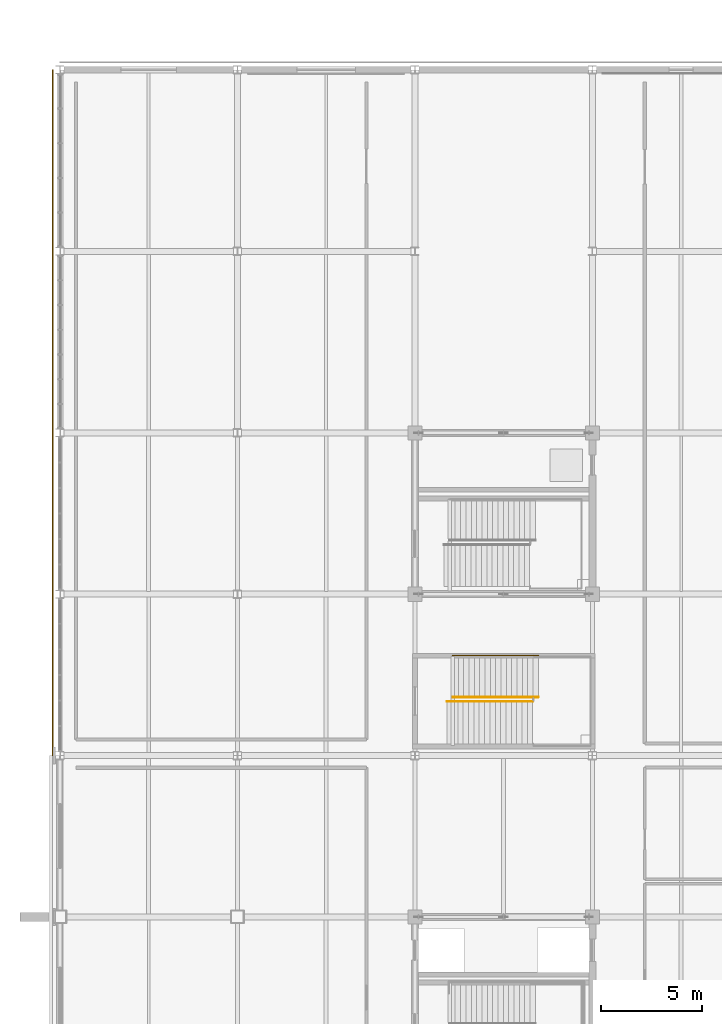
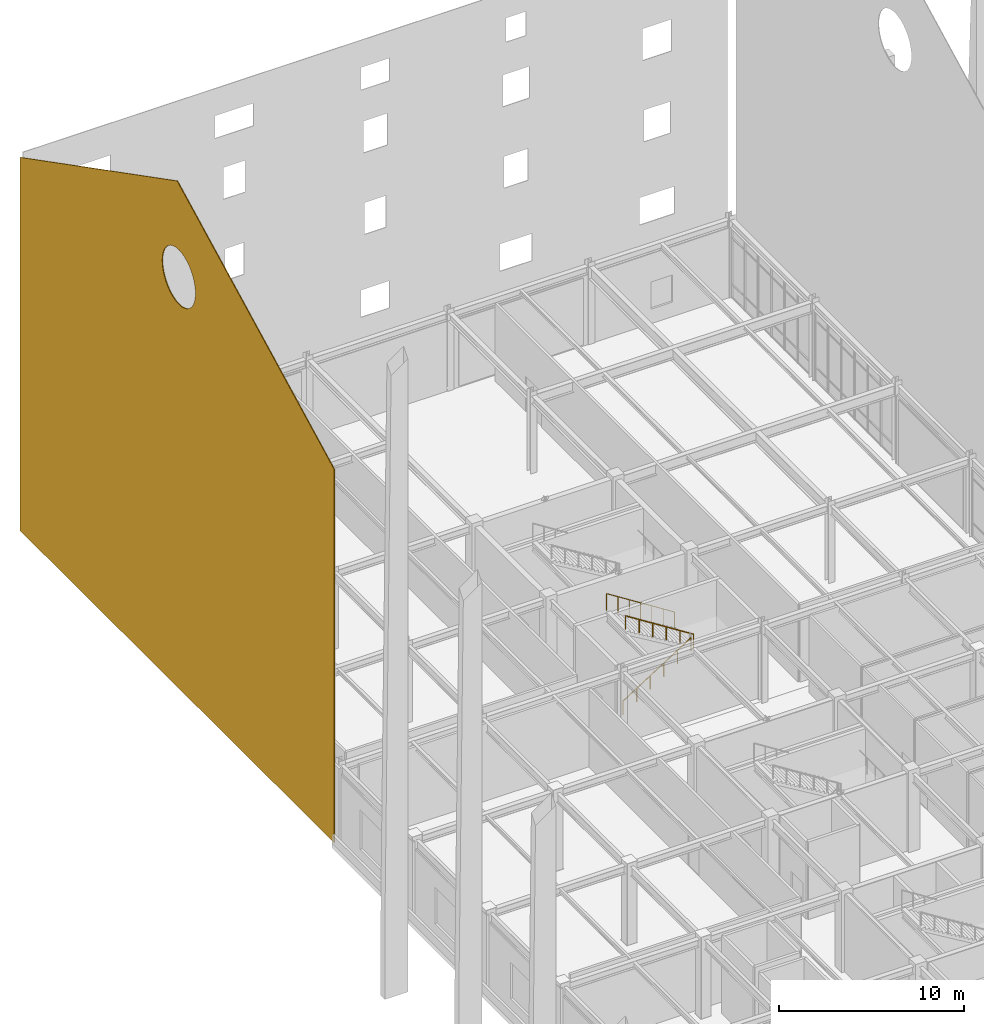
# One storey, part 108 of 119: 3 railings, 1 covering, 1 opening.
"""IFC4 building model written with IfcOpenShell, lengths in metres."""

from ifc_helpers import new_model, si_unit, direction, frame, origin, origin_2d, place, context, subcontext, project, spatial, polyline, circle, outline, extrude, material, layer, layer_set, type_object, element, save


model = new_model("IFC4")

# Units and contexts
model_context = context("Model", 3, precision=1e-05, world=origin(), true_north=direction((0.0, 1.0)))
body_context = subcontext(model_context, "Body", "Model", "MODEL_VIEW")
ifc_project = project(units=[si_unit("LENGTHUNIT", "METRE"), si_unit("AREAUNIT", "SQUARE_METRE"), si_unit("VOLUMEUNIT", "CUBIC_METRE"), si_unit("PLANEANGLEUNIT", "RADIAN"), si_unit("MASSUNIT", "GRAM", prefix="KILO")], contexts=[model_context])

# Site, building, storey
site_placement = place(None, origin())
site = spatial("IfcSite", under=ifc_project, at=site_placement, CompositionType="ELEMENT")
building_placement = place(site_placement, origin())
building = spatial("IfcBuilding", under=site, at=building_placement, Name="Zhaolan Boulevard Law Courts", CompositionType="ELEMENT")
storey_placement = place(building_placement, origin())
storey = spatial("IfcBuildingStorey", under=building, at=storey_placement, Name="L00", CompositionType="ELEMENT", Elevation=0.0)

# Railings
ifc_material_1 = material(Name="Brushed stainless steel tubular handrail", Category="steel")
railing_type_1 = type_object("IfcRailingType", Name="STAIR HANDRAIL 900", PredefinedType="HANDRAIL", material=ifc_material_1)
railing_1_placement = place(storey_placement, frame((19.199951171875, 80.679931640625, 0.0)))
element("IfcRailing", 1, at=railing_1_placement, inside=storey, type_object=railing_type_1, Name="Stair Handrail HR-ST12-L00-1", PredefinedType="HANDRAIL", context=body_context, shape_type="SweptSolid", body=[
    extrude(circle(Radius=0.0224609375, at=origin_2d()), frame((0.0, 0.0, 0.87744140625), z_axis=(0.843501457581, 0.0, 0.537126885437), x_axis=(0.0, 1.0, 0.0)), (0.0, 0.0, 1.0), 5.026611328125),
    extrude(circle(Radius=0.01904296875, at=origin_2d()), origin(), (0.0, 0.0, 1.0), 0.85498046875),
    extrude(circle(Radius=0.01904296875, at=origin_2d()), frame((0.847900390625, 0.0, 0.5400390625)), (0.0, 0.0, 1.0), 0.85498046875),
    extrude(circle(Radius=0.01904296875, at=origin_2d()), frame((1.696044921875, 0.0, 1.080078125)), (0.0, 0.0, 1.0), 0.85498046875),
    extrude(circle(Radius=0.01904296875, at=origin_2d()), frame((2.5439453125, 0.0, 1.619873046875)), (0.0, 0.0, 1.0), 0.85498046875),
    extrude(circle(Radius=0.01904296875, at=origin_2d()), frame((3.39208984375, 0.0, 2.159912109375)), (0.0, 0.0, 1.0), 0.85498046875),
    extrude(circle(Radius=0.01904296875, at=origin_2d()), frame((4.239990234375, 0.0, 2.699951171875)), (0.0, 0.0, 1.0), 0.85498046875),
])
railing_2_placement = place(storey_placement, frame((23.72509765625, 80.89990234375, 2.699951171875)))
element("IfcRailing", 2, at=railing_2_placement, inside=storey, type_object=railing_type_1, Name="Stair Handrail HR-ST12-L00-2", PredefinedType="HANDRAIL", context=body_context, shape_type="SweptSolid", body=[
    extrude(circle(Radius=0.0224609375, at=origin_2d()), frame((0.0, 0.0, 0.87744140625), z_axis=(-0.843501457581, 0.0, 0.537126885437), x_axis=(0.0, -1.0, 0.0)), (0.0, 0.0, 1.0), 5.026611328125),
    extrude(circle(Radius=0.01904296875, at=origin_2d()), origin(), (0.0, 0.0, 1.0), 0.85498046875),
    extrude(circle(Radius=0.01904296875, at=origin_2d()), frame((-0.847900390625, 0.0, 0.5400390625)), (0.0, 0.0, 1.0), 0.85498046875),
    extrude(circle(Radius=0.01904296875, at=origin_2d()), frame((-1.696044921875, 0.0, 1.080078125)), (0.0, 0.0, 1.0), 0.85498046875),
    extrude(circle(Radius=0.01904296875, at=origin_2d()), frame((-2.5439453125, 0.0, 1.619873046875)), (0.0, 0.0, 1.0), 0.85498046875),
    extrude(circle(Radius=0.01904296875, at=origin_2d()), frame((-3.39208984375, 0.0, 2.159912109375)), (0.0, 0.0, 1.0), 0.85498046875),
    extrude(circle(Radius=0.01904296875, at=origin_2d()), frame((-4.239990234375, 0.0, 2.699951171875)), (0.0, 0.0, 1.0), 0.85498046875),
])
ifc_material_2 = material(Name="Powder-coated steel baluster guardrail", Category="steel")
railing_type_2 = type_object("IfcRailingType", Name="STAIR WELL GUARDRAIL 1120", PredefinedType="GUARDRAIL", material=ifc_material_2)
railing_3_placement = place(storey_placement, frame((23.72509765625, 82.9599609375, 2.699951171875)))
element("IfcRailing", 3, at=railing_3_placement, inside=storey, type_object=railing_type_2, Name="Flight Guardrail SG-ST12-L00-F2", PredefinedType="GUARDRAIL", context=body_context, shape_type="SweptSolid", body=[
    extrude(circle(Radius=0.02392578125, at=origin_2d()), frame((0.0, 0.0, 1.09619140625), z_axis=(-0.843501457581, 0.0, 0.537126885437), x_axis=(0.0, -1.0, 0.0)), (0.0, 0.0, 1.0), 5.026611328125),
    extrude(circle(Radius=0.02099609375, at=origin_2d()), origin(), (0.0, 0.0, 1.0), 1.072021484375),
    extrude(circle(Radius=0.02099609375, at=origin_2d()), frame((-0.70654296875, 0.0, 0.449951171875)), (0.0, 0.0, 1.0), 1.072021484375),
    extrude(circle(Radius=0.02099609375, at=origin_2d()), frame((-1.413330078125, 0.0, 0.89990234375)), (0.0, 0.0, 1.0), 1.072021484375),
    extrude(circle(Radius=0.02099609375, at=origin_2d()), frame((-2.1201171875, 0.0, 1.35009765625)), (0.0, 0.0, 1.0), 1.072021484375),
    extrude(circle(Radius=0.02099609375, at=origin_2d()), frame((-2.82666015625, 0.0, 1.800048828125)), (0.0, 0.0, 1.0), 1.072021484375),
    extrude(circle(Radius=0.02099609375, at=origin_2d()), frame((-3.533203125, 0.0, 2.25)), (0.0, 0.0, 1.0), 1.072021484375),
    extrude(circle(Radius=0.02099609375, at=origin_2d()), frame((-4.239990234375, 0.0, 2.699951171875)), (0.0, 0.0, 1.0), 1.072021484375),
])

# Covering, opening
ifc_material_3 = material(Name="Pale mist-grey standing-seam Al-Mg-Mn zinc-titanium")
ifc_layer = layer(ifc_material_3, 0.050048828125)
ifc_layer_set = layer_set([ifc_layer])
covering_type = type_object("IfcCoveringType", Name="STANDING SEAM CLADDING 50", PredefinedType="CLADDING", material=ifc_layer_set)
covering_placement = place(storey_placement, frame((-0.364990234375, 112.0, 0.0), z_axis=(0.0, 0.0, 1.0), x_axis=(0.0, -1.0, 0.0)))
covering = element("IfcCovering", 4, at=covering_placement, inside=storey, type_object=covering_type, Name="Standing-Seam Metal Wall Wrap SSC-031", PredefinedType="CLADDING", context=body_context, shape_type="SweptSolid", body=[
    extrude(outline(polyline([(0.0, 0.0), (34.0, 0.0), (34.0, 24.64990234375), (17.0, 33.39990234375), (0.0, 24.64990234375), (0.0, 0.0)])), frame((0.0, 0.02490234375, 0.0), z_axis=(0.0, -1.0, 0.0), x_axis=(1.0, 0.0, 0.0)), (0.0, 0.0, 1.0), 0.050048828125),
])
opening_placement = place(storey_placement, frame((-0.364990234375, 96.617919921875, 25.3701171875), z_axis=(0.0, 0.0, 1.0), x_axis=(0.0, -1.0, 0.0)))
element("IfcOpeningElement", 5, at=opening_placement, cuts=covering, Name="Cladding Void OC-LIBS", PredefinedType="OPENING", context=body_context, shape_type="SweptSolid", body=[
    extrude(outline(polyline([(3.60009765625, 1.800048828125), (3.57275390625, 2.112548828125), (3.491455078125, 2.41552734375), (3.35888671875, 2.699951171875), (3.178955078125, 2.95703125), (2.95703125, 3.178955078125), (2.699951171875, 3.35888671875), (2.41552734375, 3.491455078125), (2.112548828125, 3.57275390625), (1.800048828125, 3.60009765625), (1.487548828125, 3.57275390625), (1.184326171875, 3.491455078125), (0.89990234375, 3.35888671875), (0.64306640625, 3.178955078125), (0.421142578125, 2.95703125), (0.2412109375, 2.699951171875), (0.108642578125, 2.41552734375), (0.02734375, 2.112548828125), (0.0, 1.800048828125), (0.02734375, 1.487548828125), (0.108642578125, 1.184326171875), (0.2412109375, 0.89990234375), (0.421142578125, 0.64306640625), (0.64306640625, 0.421142578125), (0.89990234375, 0.2412109375), (1.184326171875, 0.108642578125), (1.487548828125, 0.02734375), (1.800048828125, 0.0), (2.112548828125, 0.02734375), (2.41552734375, 0.108642578125), (2.699951171875, 0.2412109375), (2.95703125, 0.421142578125), (3.178955078125, 0.64306640625), (3.35888671875, 0.89990234375), (3.491455078125, 1.184326171875), (3.57275390625, 1.487548828125), (3.60009765625, 1.800048828125)])), frame((0.0, 0.14990234375, 0.0), z_axis=(0.0, -1.0, 0.0), x_axis=(1.0, 0.0, 0.0)), (0.0, 0.0, 1.0), 0.300048828125),
])

save(model, "model.ifc")
